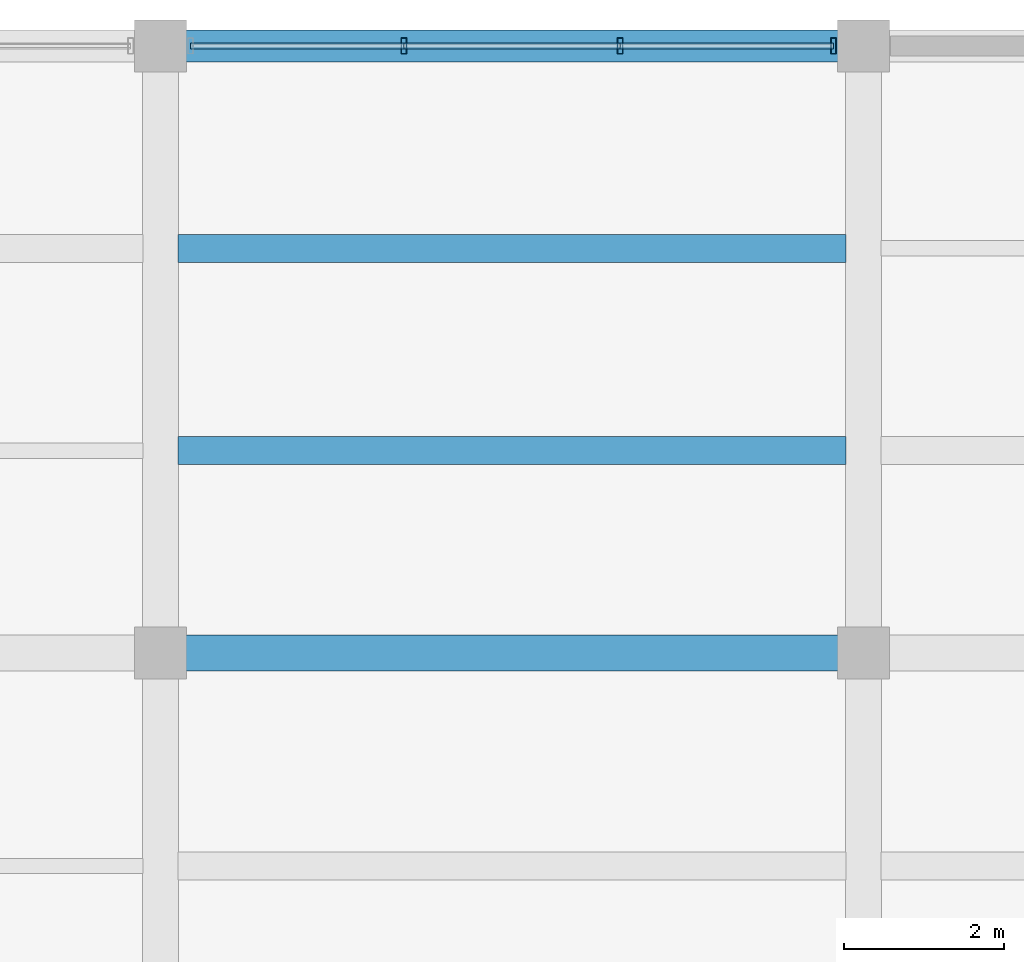
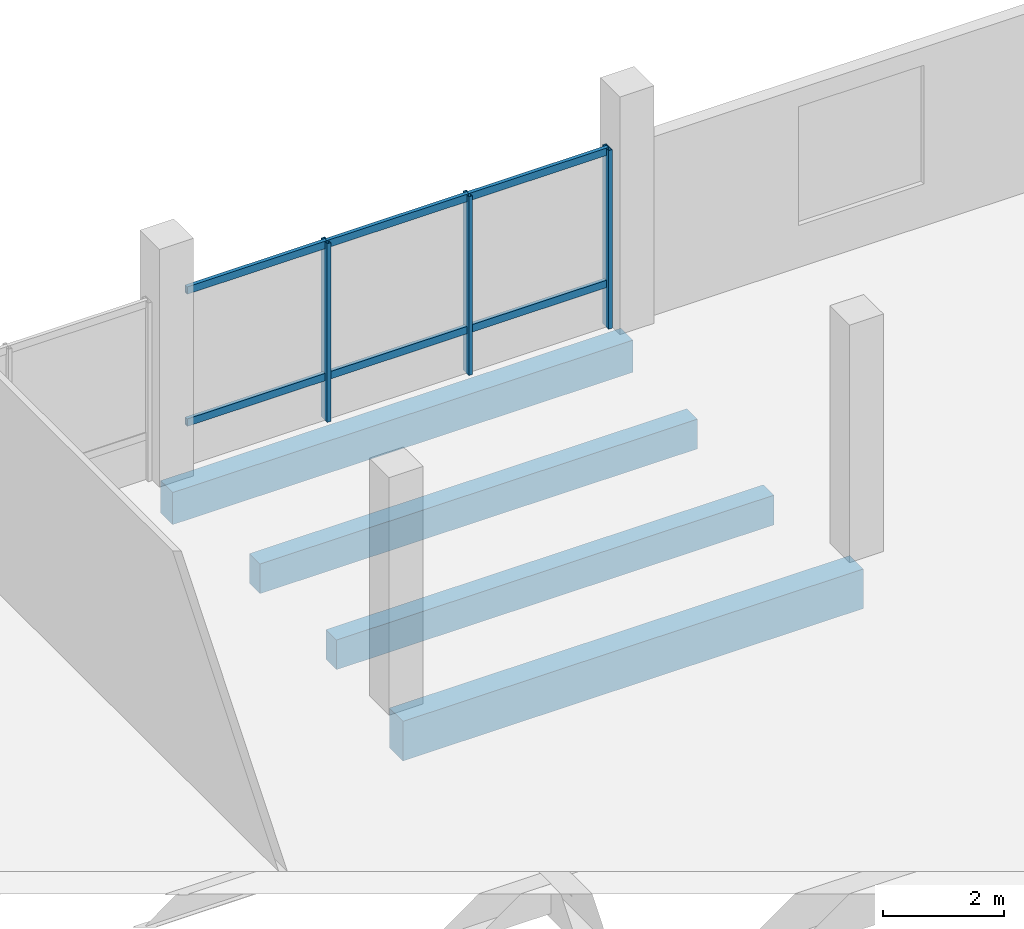
# One storey, part 50 of 71: 9 members, 4 beams, 1 element without a shape of its own.
"""IFC4 building model written with IfcOpenShell, lengths in metres."""

from ifc_helpers import new_model, si_unit, direction, frame, origin, origin_2d, place, context, subcontext, project, spatial, rectangle, hollow_rectangle, extrude, material, layer, layer_set, material_profile, profile_set, type_object, element, aggregate, save


model = new_model("IFC4")

# Units and contexts
model_context = context("Model", 3, precision=1e-05, world=origin(), true_north=direction((0.0, 1.0)))
body_context = subcontext(model_context, "Body", "Model", "MODEL_VIEW")
ifc_project = project(units=[si_unit("LENGTHUNIT", "METRE"), si_unit("AREAUNIT", "SQUARE_METRE"), si_unit("VOLUMEUNIT", "CUBIC_METRE"), si_unit("PLANEANGLEUNIT", "RADIAN"), si_unit("MASSUNIT", "GRAM", prefix="KILO")], contexts=[model_context])

# Site, building, storey
site_placement = place(None, origin())
site = spatial("IfcSite", under=ifc_project, at=site_placement, CompositionType="ELEMENT")
building_placement = place(site_placement, origin())
building = spatial("IfcBuilding", under=site, at=building_placement, Name="Meriwether Solvik Hall", CompositionType="ELEMENT")
storey_placement = place(building_placement, frame((0.0, 0.0, 5.10009765625)))
storey = spatial("IfcBuildingStorey", under=building, at=storey_placement, Name="L01", CompositionType="ELEMENT", Elevation=5.10009765625)

# Beams
ifc_material_1 = material(Name="Concrete C40/50", Category="concrete")
ifc_material_profile_1 = material_profile(ifc_material_1, rectangle(XDim=0.35009765625, YDim=0.60009765625, at=origin_2d()), Name="RCB-350X600")
ifc_profile_set_1 = profile_set([ifc_material_profile_1], Name="Concrete C40/50")
beam_type_1 = type_object("IfcBeamType", Name="BM-RC-350X600", PredefinedType="JOIST", material=ifc_profile_set_1)
for number, where, z_axis, x_axis, name in (
    (1, (140.820068359375, 111.7333984375, -0.60009765625), (1.0, 0.0, 0.0), (0.0, 1.0, 0.0), "Secondary Floor Joist 16/M_J1 (L01)"),
    (2, (140.820068359375, 114.2666015625, -0.60009765625), (1.0, 0.0, 0.0), (0.0, 1.0, 0.0), "Secondary Floor Joist 16/M_J2 (L01)"),
):
    element("IfcBeam", number, at=place(storey_placement, frame(where, z_axis=z_axis, x_axis=x_axis)), inside=storey, type_object=beam_type_1, Name=name, PredefinedType="JOIST", context=body_context, shape_type="SweptSolid", body=[
        extrude(rectangle(XDim=0.35009765625, YDim=0.60009765625, at=origin_2d()), origin(), (0.0, 0.0, 1.0), 8.35986328125),
    ])
ifc_material_2 = material(Name="Concrete C40/50", Category="concrete")
ifc_material_profile_2 = material_profile(ifc_material_2, rectangle(XDim=0.39990234375, YDim=0.64990234375, at=origin_2d()), Name="RCB-400X650")
ifc_profile_set_2 = profile_set([ifc_material_profile_2], Name="Concrete C40/50")
beam_type_2 = type_object("IfcBeamType", Name="BM-RC-400X650", PredefinedType="SPANDREL", material=ifc_profile_set_2)
beam_1_placement = place(storey_placement, frame((140.60009765625, 116.800048828125, -0.625), z_axis=(1.0, 0.0, 0.0), x_axis=(0.0, 1.0, 0.0)))
element("IfcBeam", 3, at=beam_1_placement, inside=storey, type_object=beam_type_2, Name="Podium Girder N:16-17 (L01)", PredefinedType="SPANDREL", context=body_context, shape_type="SweptSolid", body=[
    extrude(rectangle(XDim=0.39990234375, YDim=0.64990234375, at=origin_2d()), origin(), (0.0, 0.0, 1.0), 8.7998046875),
])
ifc_material_3 = material(Name="Concrete C40/50", Category="concrete")
ifc_material_profile_3 = material_profile(ifc_material_3, rectangle(XDim=0.449951171875, YDim=0.800048828125, at=origin_2d()), Name="RCB-450X800")
ifc_profile_set_3 = profile_set([ifc_material_profile_3], Name="Concrete C40/50")
beam_type_3 = type_object("IfcBeamType", Name="BM-RC-450X800", PredefinedType="BEAM", material=ifc_profile_set_3)
beam_2_placement = place(storey_placement, frame((140.60009765625, 109.199951171875, -0.7001953125), z_axis=(1.0, 0.0, 0.0), x_axis=(0.0, 1.0, 0.0)))
element("IfcBeam", 4, at=beam_2_placement, inside=storey, type_object=beam_type_3, Name="Podium Girder M:16-17 (L01)", PredefinedType="BEAM", context=body_context, shape_type="SweptSolid", body=[
    extrude(rectangle(XDim=0.449951171875, YDim=0.800048828125, at=origin_2d()), origin(), (0.0, 0.0, 1.0), 8.7998046875),
])

# Curtain wall, members
ifc_material_4 = material(Name="Thermally Broken Anodised Aluminium 6063-T6 and Low-E Glass", Category="aluminium")
ifc_layer = layer(ifc_material_4, 0.179931640625)
ifc_layer_set = layer_set([ifc_layer], Name="Thermally Broken Anodised Aluminium 6063-T6 and Low-E Glass")
curtain_wall_type = type_object("IfcCurtainWallType", Name="CW-SF-POD-B", PredefinedType="USERDEFINED", material=ifc_layer_set)
curtain_wall_placement = place(storey_placement, origin())
curtain_wall = element("IfcCurtainWall", 5, at=curtain_wall_placement, inside=storey, type_object=curtain_wall_type, Name="Curtain Wall wing_XN_16_33 (L01)", ObjectType="STICK STOREFRONT GLAZING", PredefinedType="USERDEFINED")
ifc_material_5 = material(Name="Anodised Aluminium 6063-T6", Category="aluminium")
ifc_material_profile_4 = material_profile(ifc_material_5, hollow_rectangle(XDim=0.070068359375, YDim=0.199951171875, WallThickness=0.0048828125, at=origin_2d()), Name="CWM-70X200")
ifc_profile_set_4 = profile_set([ifc_material_profile_4], Name="Anodised Aluminium 6063-T6")
member_type_1 = type_object("IfcMemberType", Name="CW-MUL-70X200", PredefinedType="MULLION", material=ifc_profile_set_4)
member_1_placement = place(storey_placement, frame((143.645751953125, 116.800048828125, 0.0), z_axis=(0.0, 0.0, 1.0), x_axis=(1.0, 0.0, 0.0)))
member_1 = element("IfcMember", 6, at=member_1_placement, type_object=member_type_1, Name="Curtain Wall Mullion 2", PredefinedType="MULLION", context=body_context, shape_type="SweptSolid", body=[
    extrude(hollow_rectangle(XDim=0.070068359375, YDim=0.199951171875, WallThickness=0.0048828125, at=origin_2d()), origin(), (0.0, 0.0, 1.0), 3.60986328125),
])
member_2_placement = place(storey_placement, frame((146.354248046875, 116.800048828125, 0.0), z_axis=(0.0, 0.0, 1.0), x_axis=(1.0, 0.0, 0.0)))
member_2 = element("IfcMember", 7, at=member_2_placement, type_object=member_type_1, Name="Curtain Wall Mullion 3", PredefinedType="MULLION", context=body_context, shape_type="SweptSolid", body=[
    extrude(hollow_rectangle(XDim=0.070068359375, YDim=0.199951171875, WallThickness=0.0048828125, at=origin_2d()), origin(), (0.0, 0.0, 1.0), 3.60986328125),
])
member_3_placement = place(storey_placement, frame((149.02490234375, 116.800048828125, 0.0), z_axis=(0.0, 0.0, 1.0), x_axis=(1.0, 0.0, 0.0)))
member_3 = element("IfcMember", 8, at=member_3_placement, type_object=member_type_1, Name="Curtain Wall Mullion 4", PredefinedType="MULLION", context=body_context, shape_type="SweptSolid", body=[
    extrude(hollow_rectangle(XDim=0.070068359375, YDim=0.199951171875, WallThickness=0.0048828125, at=origin_2d()), origin(), (0.0, 0.0, 1.0), 3.60986328125),
])
ifc_material_6 = material(Name="Anodised Aluminium 6063-T6", Category="aluminium")
ifc_material_profile_5 = material_profile(ifc_material_6, hollow_rectangle(XDim=0.070068359375, YDim=0.14990234375, WallThickness=0.0048828125, at=origin_2d()), Name="CWT-70X150")
ifc_profile_set_5 = profile_set([ifc_material_profile_5], Name="Anodised Aluminium 6063-T6")
member_type_2 = type_object("IfcMemberType", Name="CW-TRN-70X150", PredefinedType="USERDEFINED", material=ifc_profile_set_5)
member_4_placement = place(storey_placement, frame((140.97509765625, 116.800048828125, 0.8798828125), z_axis=(1.0, 0.0, 0.0), x_axis=(0.0, 1.0, 0.0)))
member_4 = element("IfcMember", 9, at=member_4_placement, type_object=member_type_2, Name="Curtain Wall Transom 1-sill", ObjectType="TRANSOM", PredefinedType="USERDEFINED", context=body_context, shape_type="SweptSolid", body=[
    extrude(hollow_rectangle(XDim=0.070068359375, YDim=0.14990234375, WallThickness=0.0048828125, at=origin_2d()), origin(), (0.0, 0.0, 1.0), 2.670654296875),
])
member_5_placement = place(storey_placement, frame((140.97509765625, 116.800048828125, 3.5498046875), z_axis=(1.0, 0.0, 0.0), x_axis=(0.0, 1.0, 0.0)))
member_5 = element("IfcMember", 10, at=member_5_placement, type_object=member_type_2, Name="Curtain Wall Transom 1-head", ObjectType="TRANSOM", PredefinedType="USERDEFINED", context=body_context, shape_type="SweptSolid", body=[
    extrude(hollow_rectangle(XDim=0.070068359375, YDim=0.14990234375, WallThickness=0.0048828125, at=origin_2d()), origin(), (0.0, 0.0, 1.0), 2.670654296875),
])
member_6_placement = place(storey_placement, frame((143.645751953125, 116.800048828125, 0.8798828125), z_axis=(1.0, 0.0, 0.0), x_axis=(0.0, 1.0, 0.0)))
member_6 = element("IfcMember", 11, at=member_6_placement, type_object=member_type_2, Name="Curtain Wall Transom 2-sill", ObjectType="TRANSOM", PredefinedType="USERDEFINED", context=body_context, shape_type="SweptSolid", body=[
    extrude(hollow_rectangle(XDim=0.070068359375, YDim=0.14990234375, WallThickness=0.0048828125, at=origin_2d()), origin(), (0.0, 0.0, 1.0), 2.70849609375),
])
member_7_placement = place(storey_placement, frame((143.645751953125, 116.800048828125, 3.5498046875), z_axis=(1.0, 0.0, 0.0), x_axis=(0.0, 1.0, 0.0)))
member_7 = element("IfcMember", 12, at=member_7_placement, type_object=member_type_2, Name="Curtain Wall Transom 2-head", ObjectType="TRANSOM", PredefinedType="USERDEFINED", context=body_context, shape_type="SweptSolid", body=[
    extrude(hollow_rectangle(XDim=0.070068359375, YDim=0.14990234375, WallThickness=0.0048828125, at=origin_2d()), origin(), (0.0, 0.0, 1.0), 2.70849609375),
])
member_8_placement = place(storey_placement, frame((146.354248046875, 116.800048828125, 0.8798828125), z_axis=(1.0, 0.0, 0.0), x_axis=(0.0, 1.0, 0.0)))
member_8 = element("IfcMember", 13, at=member_8_placement, type_object=member_type_2, Name="Curtain Wall Transom 3-sill", ObjectType="TRANSOM", PredefinedType="USERDEFINED", context=body_context, shape_type="SweptSolid", body=[
    extrude(hollow_rectangle(XDim=0.070068359375, YDim=0.14990234375, WallThickness=0.0048828125, at=origin_2d()), origin(), (0.0, 0.0, 1.0), 2.670654296875),
])
member_9_placement = place(storey_placement, frame((146.354248046875, 116.800048828125, 3.5498046875), z_axis=(1.0, 0.0, 0.0), x_axis=(0.0, 1.0, 0.0)))
member_9 = element("IfcMember", 14, at=member_9_placement, type_object=member_type_2, Name="Curtain Wall Transom 3-head", ObjectType="TRANSOM", PredefinedType="USERDEFINED", context=body_context, shape_type="SweptSolid", body=[
    extrude(hollow_rectangle(XDim=0.070068359375, YDim=0.14990234375, WallThickness=0.0048828125, at=origin_2d()), origin(), (0.0, 0.0, 1.0), 2.670654296875),
])
aggregate(curtain_wall, [member_1, member_2, member_3, member_4, member_5, member_6, member_7, member_8, member_9])

save(model, "model.ifc")
